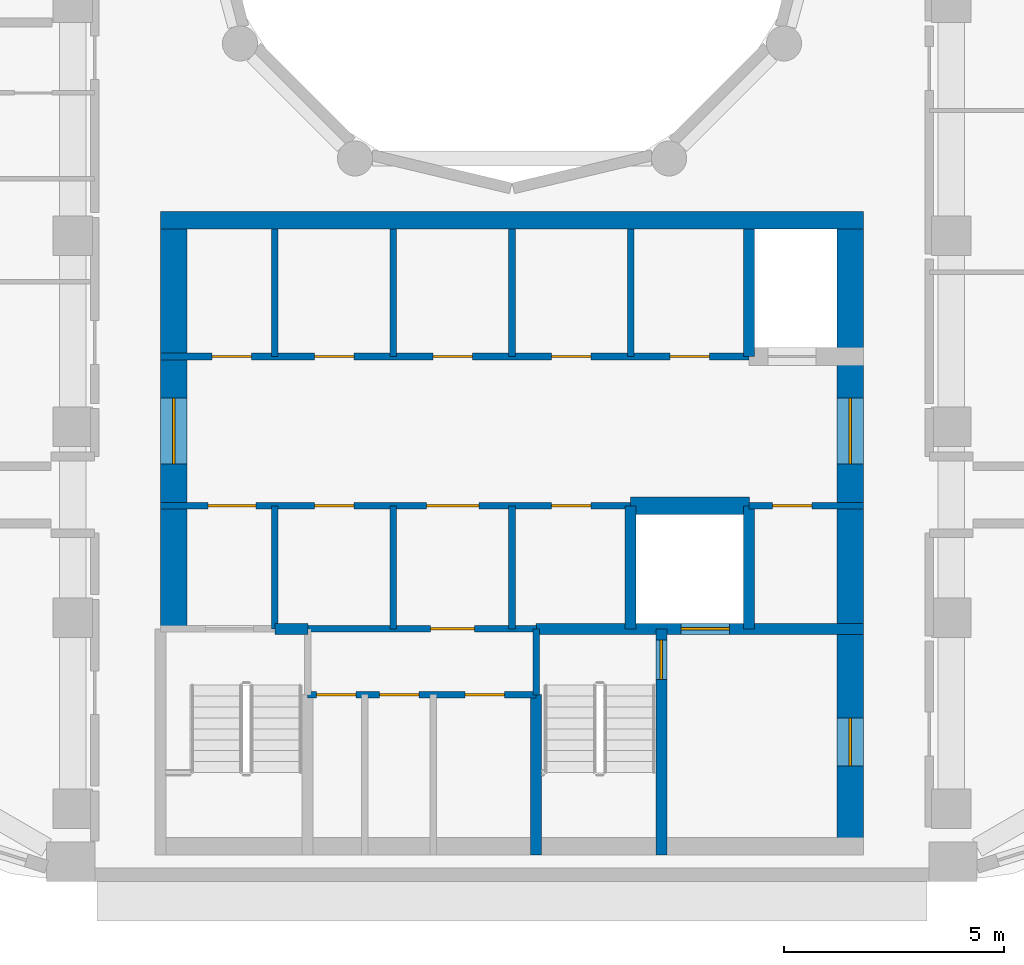
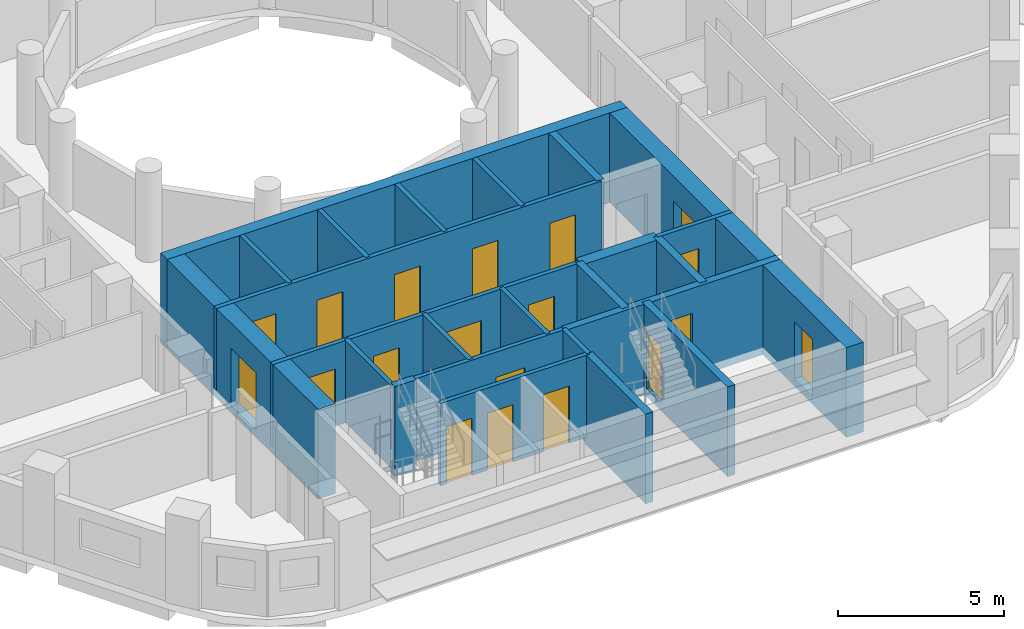
# One storey, part 3 of 13: 24 walls, 19 doors, 19 openings.
"""IFC4 building model written with IfcOpenShell, lengths in metres."""

from ifc_helpers import new_model, si_unit, direction, frame, frame_2d, origin, place, context, subcontext, project, spatial, rectangle, extrude, material, layer, layer_set, type_object, element, fill, save


model = new_model("IFC4")

# Units and contexts
model_context = context("Model", 3, precision=1e-05, world=origin(), true_north=direction((0.0, 1.0)))
body_context = subcontext(model_context, "Body", "Model", "MODEL_VIEW")
ifc_project = project(units=[si_unit("LENGTHUNIT", "METRE"), si_unit("AREAUNIT", "SQUARE_METRE"), si_unit("VOLUMEUNIT", "CUBIC_METRE"), si_unit("PLANEANGLEUNIT", "RADIAN"), si_unit("MASSUNIT", "GRAM", prefix="KILO")], contexts=[model_context])

# Site, building, storey
site_placement = place(None, origin())
site = spatial("IfcSite", under=ifc_project, at=site_placement, CompositionType="ELEMENT")
building_placement = place(site_placement, origin())
building = spatial("IfcBuilding", under=site, at=building_placement, Name="Nakaniwa Court", CompositionType="ELEMENT")
storey_placement = place(building_placement, frame((0.0, 0.0, 239.39990234375)))
storey = spatial("IfcBuildingStorey", under=building, at=storey_placement, Name="L62", CompositionType="ELEMENT", Elevation=239.39990234375)

# Walls
ifc_material_1 = material(Name="Blockwork partition", Category="masonry")
ifc_layer_1 = layer(ifc_material_1, 0.14990234375)
ifc_layer_set_1 = layer_set([ifc_layer_1], Name="Blockwork partition")
wall_type_1 = type_object("IfcWallType", Name="Blockwork partition 150", PredefinedType="PARTITIONING", material=ifc_layer_set_1)
wall_1_placement = place(storey_placement, frame((74.60009765625, 63.10009765625, 0.0), z_axis=(0.0, 0.0, 1.0), x_axis=(0.0, 1.0, 0.0)))
element("IfcWall", 1, at=wall_1_placement, inside=storey, type_object=wall_type_1, Name="Partition PW-031", PredefinedType="PARTITIONING", context=body_context, shape_type="SweptSolid", body=[
    extrude(rectangle(XDim=2.7998046875, YDim=0.14990234375, at=frame_2d((1.39990234375, 0.0))), origin(), (0.0, 0.0, 1.0), 3.025146484375),
])
wall_2_placement = place(storey_placement, frame((74.60009765625, 69.300048828125, 0.0), z_axis=(0.0, 0.0, 1.0), x_axis=(0.0, 1.0, 0.0)))
element("IfcWall", 2, at=wall_2_placement, inside=storey, type_object=wall_type_1, Name="Partition PW-032", PredefinedType="PARTITIONING", context=body_context, shape_type="SweptSolid", body=[
    extrude(rectangle(XDim=2.89990234375, YDim=0.14990234375, at=frame_2d((1.449951171875, 0.0))), origin(), (0.0, 0.0, 1.0), 3.025146484375),
])

# Wall, openings, doors
wall_3_placement = place(storey_placement, frame((72.0, 69.300048828125, 0.0), z_axis=(0.0, 0.0, 1.0), x_axis=(1.0, 0.0, 0.0)))
wall_3 = element("IfcWall", 3, at=wall_3_placement, inside=storey, type_object=wall_type_1, Name="Partition PW-033", PredefinedType="PARTITIONING", context=body_context, shape_type="SweptSolid", body=[
    extrude(rectangle(XDim=13.39990234375, YDim=0.14990234375, at=frame_2d((6.699951171875, 0.0))), origin(), (0.0, 0.0, 1.0), 3.025146484375),
])
opening_1_placement = place(wall_3_placement, frame((1.175048828125, 0.0, 0.0)))
opening_1 = element("IfcOpeningElement", 4, at=opening_1_placement, cuts=wall_3, Name="Opening D-05-12", PredefinedType="OPENING", context=body_context, shape_type="SweptSolid", body=[
    extrude(rectangle(XDim=0.89990234375, YDim=2.10009765625, at=frame_2d((0.449951171875, 1.050048828125))), frame((0.0, 0.0849609375, 0.0), z_axis=(0.0, -1.0, 0.0), x_axis=(1.0, 0.0, 0.0)), (0.0, 0.0, 1.0), 0.169921875),
])
opening_2_placement = place(wall_3_placement, frame((3.5, 0.0, 0.0)))
opening_2 = element("IfcOpeningElement", 5, at=opening_2_placement, cuts=wall_3, Name="Opening D-05-13", PredefinedType="OPENING", context=body_context, shape_type="SweptSolid", body=[
    extrude(rectangle(XDim=0.89990234375, YDim=2.10009765625, at=frame_2d((0.449951171875, 1.050048828125))), frame((0.0, 0.0849609375, 0.0), z_axis=(0.0, -1.0, 0.0), x_axis=(1.0, 0.0, 0.0)), (0.0, 0.0, 1.0), 0.169921875),
])
opening_3_placement = place(wall_3_placement, frame((6.199951171875, 0.0, 0.0)))
opening_3 = element("IfcOpeningElement", 6, at=opening_3_placement, cuts=wall_3, Name="Opening D-05-14", PredefinedType="OPENING", context=body_context, shape_type="SweptSolid", body=[
    extrude(rectangle(XDim=0.89990234375, YDim=2.10009765625, at=frame_2d((0.449951171875, 1.050048828125))), frame((0.0, 0.0849609375, 0.0), z_axis=(0.0, -1.0, 0.0), x_axis=(1.0, 0.0, 0.0)), (0.0, 0.0, 1.0), 0.169921875),
])
opening_4_placement = place(wall_3_placement, frame((8.89990234375, 0.0, 0.0)))
opening_4 = element("IfcOpeningElement", 7, at=opening_4_placement, cuts=wall_3, Name="Opening D-05-15", PredefinedType="OPENING", context=body_context, shape_type="SweptSolid", body=[
    extrude(rectangle(XDim=0.89990234375, YDim=2.10009765625, at=frame_2d((0.449951171875, 1.050048828125))), frame((0.0, 0.0849609375, 0.0), z_axis=(0.0, -1.0, 0.0), x_axis=(1.0, 0.0, 0.0)), (0.0, 0.0, 1.0), 0.169921875),
])
opening_5_placement = place(wall_3_placement, frame((11.60009765625, 0.0, 0.0)))
opening_5 = element("IfcOpeningElement", 8, at=opening_5_placement, cuts=wall_3, Name="Opening D-05-16", PredefinedType="OPENING", context=body_context, shape_type="SweptSolid", body=[
    extrude(rectangle(XDim=0.89990234375, YDim=2.10009765625, at=frame_2d((0.449951171875, 1.050048828125))), frame((0.0, 0.0849609375, 0.0), z_axis=(0.0, -1.0, 0.0), x_axis=(1.0, 0.0, 0.0)), (0.0, 0.0, 1.0), 0.169921875),
])
ifc_material_2 = material(Name="Fire rated steel door set", Category="steel")
door_type_1 = type_object("IfcDoorType", Name="Service room door 900", OperationType="NOTDEFINED", PredefinedType="DOOR", material=ifc_material_2)
door_1_placement = place(opening_1_placement, origin())
door_1 = element("IfcDoor", 9, at=door_1_placement, inside=storey, type_object=door_type_1, Name="Door D-05-12 L62-017", OperationType="SINGLE_SWING_RIGHT", OverallHeight=2.10009765625, OverallWidth=0.89990234375, PredefinedType="DOOR", context=body_context, shape_type="SweptSolid", body=[
    extrude(rectangle(XDim=0.89990234375, YDim=2.10009765625, at=frame_2d((0.449951171875, 1.050048828125))), frame((0.0, 0.02490234375, 0.0), z_axis=(0.0, -1.0, 0.0), x_axis=(1.0, 0.0, 0.0)), (0.0, 0.0, 1.0), 0.050048828125),
])
fill(opening_1, door_1)
door_2_placement = place(opening_2_placement, origin())
door_2 = element("IfcDoor", 10, at=door_2_placement, inside=storey, type_object=door_type_1, Name="Door D-05-13 L62-018", OperationType="SINGLE_SWING_LEFT", OverallHeight=2.10009765625, OverallWidth=0.89990234375, PredefinedType="DOOR", context=body_context, shape_type="SweptSolid", body=[
    extrude(rectangle(XDim=0.89990234375, YDim=2.10009765625, at=frame_2d((0.449951171875, 1.050048828125))), frame((0.0, 0.02490234375, 0.0), z_axis=(0.0, -1.0, 0.0), x_axis=(1.0, 0.0, 0.0)), (0.0, 0.0, 1.0), 0.050048828125),
])
fill(opening_2, door_2)
door_3_placement = place(opening_3_placement, origin())
door_3 = element("IfcDoor", 11, at=door_3_placement, inside=storey, type_object=door_type_1, Name="Door D-05-14 L62-019", OperationType="SINGLE_SWING_RIGHT", OverallHeight=2.10009765625, OverallWidth=0.89990234375, PredefinedType="DOOR", context=body_context, shape_type="SweptSolid", body=[
    extrude(rectangle(XDim=0.89990234375, YDim=2.10009765625, at=frame_2d((0.449951171875, 1.050048828125))), frame((0.0, 0.02490234375, 0.0), z_axis=(0.0, -1.0, 0.0), x_axis=(1.0, 0.0, 0.0)), (0.0, 0.0, 1.0), 0.050048828125),
])
fill(opening_3, door_3)
door_4_placement = place(opening_4_placement, origin())
door_4 = element("IfcDoor", 12, at=door_4_placement, inside=storey, type_object=door_type_1, Name="Door D-05-15 L62-020", OperationType="SINGLE_SWING_LEFT", OverallHeight=2.10009765625, OverallWidth=0.89990234375, PredefinedType="DOOR", context=body_context, shape_type="SweptSolid", body=[
    extrude(rectangle(XDim=0.89990234375, YDim=2.10009765625, at=frame_2d((0.449951171875, 1.050048828125))), frame((0.0, 0.02490234375, 0.0), z_axis=(0.0, -1.0, 0.0), x_axis=(1.0, 0.0, 0.0)), (0.0, 0.0, 1.0), 0.050048828125),
])
fill(opening_4, door_4)
door_5_placement = place(opening_5_placement, origin())
door_5 = element("IfcDoor", 13, at=door_5_placement, inside=storey, type_object=door_type_1, Name="Door D-05-16 L62-021", OperationType="SINGLE_SWING_RIGHT", OverallHeight=2.10009765625, OverallWidth=0.89990234375, PredefinedType="DOOR", context=body_context, shape_type="SweptSolid", body=[
    extrude(rectangle(XDim=0.89990234375, YDim=2.10009765625, at=frame_2d((0.449951171875, 1.050048828125))), frame((0.0, 0.02490234375, 0.0), z_axis=(0.0, -1.0, 0.0), x_axis=(1.0, 0.0, 0.0)), (0.0, 0.0, 1.0), 0.050048828125),
])
fill(opening_5, door_5)

# Walls
wall_4_placement = place(storey_placement, frame((77.300048828125, 63.10009765625, 0.0), z_axis=(0.0, 0.0, 1.0), x_axis=(0.0, 1.0, 0.0)))
element("IfcWall", 14, at=wall_4_placement, inside=storey, type_object=wall_type_1, Name="Partition PW-039", PredefinedType="PARTITIONING", context=body_context, shape_type="SweptSolid", body=[
    extrude(rectangle(XDim=2.7998046875, YDim=0.14990234375, at=frame_2d((1.39990234375, 0.0))), origin(), (0.0, 0.0, 1.0), 3.025146484375),
])
wall_5_placement = place(storey_placement, frame((77.300048828125, 69.300048828125, 0.0), z_axis=(0.0, 0.0, 1.0), x_axis=(0.0, 1.0, 0.0)))
element("IfcWall", 15, at=wall_5_placement, inside=storey, type_object=wall_type_1, Name="Partition PW-040", PredefinedType="PARTITIONING", context=body_context, shape_type="SweptSolid", body=[
    extrude(rectangle(XDim=2.89990234375, YDim=0.14990234375, at=frame_2d((1.449951171875, 0.0))), origin(), (0.0, 0.0, 1.0), 3.025146484375),
])
wall_6_placement = place(storey_placement, frame((80.0, 63.10009765625, 0.0), z_axis=(0.0, 0.0, 1.0), x_axis=(0.0, 1.0, 0.0)))
element("IfcWall", 16, at=wall_6_placement, inside=storey, type_object=wall_type_1, Name="Partition PW-041", PredefinedType="PARTITIONING", context=body_context, shape_type="SweptSolid", body=[
    extrude(rectangle(XDim=2.7998046875, YDim=0.14990234375, at=frame_2d((1.39990234375, 0.0))), origin(), (0.0, 0.0, 1.0), 3.025146484375),
])
for number, where, z_axis, x_axis, name in (
    (17, (80.0, 69.300048828125, 0.0), (0.0, 0.0, 1.0), (0.0, 1.0, 0.0), "Partition PW-042"),
    (18, (82.699951171875, 69.300048828125, 0.0), (0.0, 0.0, 1.0), (0.0, 1.0, 0.0), "Partition PW-043"),
):
    element("IfcWall", number, at=place(storey_placement, frame(where, z_axis=z_axis, x_axis=x_axis)), inside=storey, type_object=wall_type_1, Name=name, PredefinedType="PARTITIONING", context=body_context, shape_type="SweptSolid", body=[
        extrude(rectangle(XDim=2.89990234375, YDim=0.14990234375, at=frame_2d((1.449951171875, 0.0))), origin(), (0.0, 0.0, 1.0), 3.025146484375),
    ])

# Wall, openings, doors
wall_7_placement = place(storey_placement, frame((82.702880859375, 65.89990234375, 0.0), z_axis=(0.0, 0.0, 1.0), x_axis=(-1.0, 0.0, 0.0)))
wall_7 = element("IfcWall", 19, at=wall_7_placement, inside=storey, type_object=wall_type_1, Name="Partition PW-044", PredefinedType="PARTITIONING", context=body_context, shape_type="SweptSolid", body=[
    extrude(rectangle(XDim=10.702880859375, YDim=0.14990234375, at=frame_2d((5.3515625, 0.0))), origin(), (0.0, 0.0, 1.0), 3.025146484375),
])
opening_6_placement = place(wall_7_placement, frame((8.528076171875, 0.0, 0.0)))
opening_6 = element("IfcOpeningElement", 20, at=opening_6_placement, cuts=wall_7, Name="Opening D-08-02", PredefinedType="OPENING", context=body_context, shape_type="SweptSolid", body=[
    extrude(rectangle(XDim=1.10009765625, YDim=2.10009765625, at=frame_2d((0.550048828125, 1.050048828125))), frame((0.0, 0.0849609375, 0.0), z_axis=(0.0, -1.0, 0.0), x_axis=(1.0, 0.0, 0.0)), (0.0, 0.0, 1.0), 0.169921875),
])
opening_7_placement = place(wall_7_placement, frame((6.302978515625, 0.0, 0.0)))
opening_7 = element("IfcOpeningElement", 21, at=opening_7_placement, cuts=wall_7, Name="Opening D-05-17", PredefinedType="OPENING", context=body_context, shape_type="SweptSolid", body=[
    extrude(rectangle(XDim=0.89990234375, YDim=2.10009765625, at=frame_2d((0.449951171875, 1.050048828125))), frame((0.0, 0.0849609375, 0.0), z_axis=(0.0, -1.0, 0.0), x_axis=(1.0, 0.0, 0.0)), (0.0, 0.0, 1.0), 0.169921875),
])
opening_8_placement = place(wall_7_placement, frame((3.452880859375, 0.0, 0.0)))
opening_8 = element("IfcOpeningElement", 22, at=opening_8_placement, cuts=wall_7, Name="Opening D-06-02", PredefinedType="OPENING", context=body_context, shape_type="SweptSolid", body=[
    extrude(rectangle(XDim=1.199951171875, YDim=2.10009765625, at=frame_2d((0.60009765625, 1.050048828125))), frame((0.0, 0.0849609375, 0.0), z_axis=(0.0, -1.0, 0.0), x_axis=(1.0, 0.0, 0.0)), (0.0, 0.0, 1.0), 0.169921875),
])
opening_9_placement = place(wall_7_placement, frame((0.903076171875, 0.0, 0.0)))
opening_9 = element("IfcOpeningElement", 23, at=opening_9_placement, cuts=wall_7, Name="Opening D-05-18", PredefinedType="OPENING", context=body_context, shape_type="SweptSolid", body=[
    extrude(rectangle(XDim=0.89990234375, YDim=2.10009765625, at=frame_2d((0.449951171875, 1.050048828125))), frame((0.0, 0.0849609375, 0.0), z_axis=(0.0, -1.0, 0.0), x_axis=(1.0, 0.0, 0.0)), (0.0, 0.0, 1.0), 0.169921875),
])
ifc_material_3 = material(Name="Fire rated steel double door set", Category="steel")
door_type_2 = type_object("IfcDoorType", Name="Service passage double door 1200", OperationType="NOTDEFINED", PredefinedType="DOOR", material=ifc_material_3)
door_6_placement = place(opening_8_placement, origin())
door_6 = element("IfcDoor", 24, at=door_6_placement, inside=storey, type_object=door_type_2, Name="Door D-06-02 L62-024", OperationType="DOUBLE_DOOR_SINGLE_SWING", OverallHeight=2.10009765625, OverallWidth=1.199951171875, PredefinedType="DOOR", context=body_context, shape_type="SweptSolid", body=[
    extrude(rectangle(XDim=1.199951171875, YDim=2.10009765625, at=frame_2d((0.60009765625, 1.050048828125))), frame((0.0, 0.02490234375, 0.0), z_axis=(0.0, -1.0, 0.0), x_axis=(1.0, 0.0, 0.0)), (0.0, 0.0, 1.0), 0.050048828125),
])
fill(opening_8, door_6)
door_7_placement = place(opening_7_placement, origin())
door_7 = element("IfcDoor", 25, at=door_7_placement, inside=storey, type_object=door_type_1, Name="Door D-05-17 L62-023", OperationType="SINGLE_SWING_RIGHT", OverallHeight=2.10009765625, OverallWidth=0.89990234375, PredefinedType="DOOR", context=body_context, shape_type="SweptSolid", body=[
    extrude(rectangle(XDim=0.89990234375, YDim=2.10009765625, at=frame_2d((0.449951171875, 1.050048828125))), frame((0.0, 0.02490234375, 0.0), z_axis=(0.0, -1.0, 0.0), x_axis=(1.0, 0.0, 0.0)), (0.0, 0.0, 1.0), 0.050048828125),
])
fill(opening_7, door_7)
door_8_placement = place(opening_9_placement, origin())
door_8 = element("IfcDoor", 26, at=door_8_placement, inside=storey, type_object=door_type_1, Name="Door D-05-18 L62-025", OperationType="SINGLE_SWING_RIGHT", OverallHeight=2.10009765625, OverallWidth=0.89990234375, PredefinedType="DOOR", context=body_context, shape_type="SweptSolid", body=[
    extrude(rectangle(XDim=0.89990234375, YDim=2.10009765625, at=frame_2d((0.449951171875, 1.050048828125))), frame((0.0, 0.02490234375, 0.0), z_axis=(0.0, -1.0, 0.0), x_axis=(1.0, 0.0, 0.0)), (0.0, 0.0, 1.0), 0.050048828125),
])
fill(opening_9, door_8)
door_type_3 = type_object("IfcDoorType", Name="Stair lobby door 1100", OperationType="NOTDEFINED", PredefinedType="DOOR", material=ifc_material_2)
door_9_placement = place(opening_6_placement, origin())
door_9 = element("IfcDoor", 27, at=door_9_placement, inside=storey, type_object=door_type_3, Name="Door D-08-02 L62-022", OperationType="SINGLE_SWING_LEFT", OverallHeight=2.10009765625, OverallWidth=1.10009765625, PredefinedType="DOOR", context=body_context, shape_type="SweptSolid", body=[
    extrude(rectangle(XDim=1.10009765625, YDim=2.10009765625, at=frame_2d((0.550048828125, 1.050048828125))), frame((0.0, 0.02490234375, 0.0), z_axis=(0.0, -1.0, 0.0), x_axis=(1.0, 0.0, 0.0)), (0.0, 0.0, 1.0), 0.050048828125),
])
fill(opening_6, door_9)

# Wall, opening, door
wall_8_placement = place(storey_placement, frame((88.0, 65.89990234375, 0.0), z_axis=(0.0, 0.0, 1.0), x_axis=(-1.0, 0.0, 0.0)))
wall_8 = element("IfcWall", 28, at=wall_8_placement, inside=storey, type_object=wall_type_1, Name="Partition PW-045", PredefinedType="PARTITIONING", context=body_context, shape_type="SweptSolid", body=[
    extrude(rectangle(XDim=2.60302734375, YDim=0.14990234375, at=frame_2d((1.301513671875, 0.0))), origin(), (0.0, 0.0, 1.0), 3.025146484375),
])
opening_10_placement = place(wall_8_placement, frame((1.175048828125, 0.0, 0.0)))
opening_10 = element("IfcOpeningElement", 29, at=opening_10_placement, cuts=wall_8, Name="Opening D-05-19", PredefinedType="OPENING", context=body_context, shape_type="SweptSolid", body=[
    extrude(rectangle(XDim=0.89990234375, YDim=2.10009765625, at=frame_2d((0.449951171875, 1.050048828125))), frame((0.0, 0.0849609375, 0.0), z_axis=(0.0, -1.0, 0.0), x_axis=(1.0, 0.0, 0.0)), (0.0, 0.0, 1.0), 0.169921875),
])
door_10_placement = place(opening_10_placement, origin())
door_10 = element("IfcDoor", 30, at=door_10_placement, inside=storey, type_object=door_type_1, Name="Door D-05-19 L62-026", OperationType="SINGLE_SWING_LEFT", OverallHeight=2.10009765625, OverallWidth=0.89990234375, PredefinedType="DOOR", context=body_context, shape_type="SweptSolid", body=[
    extrude(rectangle(XDim=0.89990234375, YDim=2.10009765625, at=frame_2d((0.449951171875, 1.050048828125))), frame((0.0, 0.02490234375, 0.0), z_axis=(0.0, -1.0, 0.0), x_axis=(1.0, 0.0, 0.0)), (0.0, 0.0, 1.0), 0.050048828125),
])
fill(opening_10, door_10)

wall_9_placement = place(storey_placement, frame((80.552978515625, 63.10009765625, 0.0), z_axis=(0.0, 0.0, 1.0), x_axis=(-1.0, 0.0, 0.0)))
wall_9 = element("IfcWall", 31, at=wall_9_placement, inside=storey, type_object=wall_type_1, Name="Partition PW-050", PredefinedType="PARTITIONING", context=body_context, shape_type="SweptSolid", body=[
    extrude(rectangle(XDim=5.2060546875, YDim=0.14990234375, at=frame_2d((2.60302734375, 0.0))), origin(), (0.0, 0.0, 1.0), 3.025146484375),
])
opening_11_placement = place(wall_9_placement, frame((1.403076171875, 0.0, 0.0)))
opening_11 = element("IfcOpeningElement", 32, at=opening_11_placement, cuts=wall_9, Name="Opening D-23-02", PredefinedType="OPENING", context=body_context, shape_type="SweptSolid", body=[
    extrude(rectangle(XDim=1.0, YDim=2.10009765625, at=frame_2d((0.5, 1.050048828125))), frame((0.0, 0.0849609375, 0.0), z_axis=(0.0, -1.0, 0.0), x_axis=(1.0, 0.0, 0.0)), (0.0, 0.0, 1.0), 0.169921875),
])
door_type_4 = type_object("IfcDoorType", Name="Service room door 1000", OperationType="NOTDEFINED", PredefinedType="DOOR", material=ifc_material_2)
door_11_placement = place(opening_11_placement, origin())
door_11 = element("IfcDoor", 33, at=door_11_placement, inside=storey, type_object=door_type_4, Name="Door D-23-02 L62-027", OperationType="SINGLE_SWING_RIGHT", OverallHeight=2.10009765625, OverallWidth=1.0, PredefinedType="DOOR", context=body_context, shape_type="SweptSolid", body=[
    extrude(rectangle(XDim=1.0, YDim=2.10009765625, at=frame_2d((0.5, 1.050048828125))), frame((0.0, 0.02490234375, 0.0), z_axis=(0.0, -1.0, 0.0), x_axis=(1.0, 0.0, 0.0)), (0.0, 0.0, 1.0), 0.050048828125),
])
fill(opening_11, door_11)

# Wall, openings, doors
wall_10_placement = place(storey_placement, frame((80.550048828125, 61.60009765625, 0.0), z_axis=(0.0, 0.0, 1.0), x_axis=(-1.0, 0.0, 0.0)))
wall_10 = element("IfcWall", 34, at=wall_10_placement, inside=storey, type_object=wall_type_1, Name="Partition PW-058", PredefinedType="PARTITIONING", context=body_context, shape_type="SweptSolid", body=[
    extrude(rectangle(XDim=5.199951171875, YDim=0.14990234375, at=frame_2d((2.60009765625, 0.0))), origin(), (0.0, 0.0, 1.0), 3.025146484375),
])
opening_12_placement = place(wall_10_placement, frame((4.10009765625, 0.0, 0.0)))
opening_12 = element("IfcOpeningElement", 35, at=opening_12_placement, cuts=wall_10, Name="Opening D-05-20", PredefinedType="OPENING", context=body_context, shape_type="SweptSolid", body=[
    extrude(rectangle(XDim=0.89990234375, YDim=2.10009765625, at=frame_2d((0.449951171875, 1.050048828125))), frame((0.0, 0.0849609375, 0.0), z_axis=(0.0, -1.0, 0.0), x_axis=(1.0, 0.0, 0.0)), (0.0, 0.0, 1.0), 0.169921875),
])
opening_13_placement = place(wall_10_placement, frame((2.669921875, 0.0, 0.0)))
opening_13 = element("IfcOpeningElement", 36, at=opening_13_placement, cuts=wall_10, Name="Opening D-05-21", PredefinedType="OPENING", context=body_context, shape_type="SweptSolid", body=[
    extrude(rectangle(XDim=0.89990234375, YDim=2.10009765625, at=frame_2d((0.449951171875, 1.050048828125))), frame((0.0, 0.0849609375, 0.0), z_axis=(0.0, -1.0, 0.0), x_axis=(1.0, 0.0, 0.0)), (0.0, 0.0, 1.0), 0.169921875),
])
opening_14_placement = place(wall_10_placement, frame((0.719970703125, 0.0, 0.0)))
opening_14 = element("IfcOpeningElement", 37, at=opening_14_placement, cuts=wall_10, Name="Opening D-05-22", PredefinedType="OPENING", context=body_context, shape_type="SweptSolid", body=[
    extrude(rectangle(XDim=0.89990234375, YDim=2.10009765625, at=frame_2d((0.449951171875, 1.050048828125))), frame((0.0, 0.0849609375, 0.0), z_axis=(0.0, -1.0, 0.0), x_axis=(1.0, 0.0, 0.0)), (0.0, 0.0, 1.0), 0.169921875),
])
door_12_placement = place(opening_12_placement, origin())
door_12 = element("IfcDoor", 38, at=door_12_placement, inside=storey, type_object=door_type_1, Name="Door D-05-20 L62-028", OperationType="SINGLE_SWING_LEFT", OverallHeight=2.10009765625, OverallWidth=0.89990234375, PredefinedType="DOOR", context=body_context, shape_type="SweptSolid", body=[
    extrude(rectangle(XDim=0.89990234375, YDim=2.10009765625, at=frame_2d((0.449951171875, 1.050048828125))), frame((0.0, 0.02490234375, 0.0), z_axis=(0.0, -1.0, 0.0), x_axis=(1.0, 0.0, 0.0)), (0.0, 0.0, 1.0), 0.050048828125),
])
fill(opening_12, door_12)
door_13_placement = place(opening_13_placement, origin())
door_13 = element("IfcDoor", 39, at=door_13_placement, inside=storey, type_object=door_type_1, Name="Door D-05-21 L62-029", OperationType="SINGLE_SWING_RIGHT", OverallHeight=2.10009765625, OverallWidth=0.89990234375, PredefinedType="DOOR", context=body_context, shape_type="SweptSolid", body=[
    extrude(rectangle(XDim=0.89990234375, YDim=2.10009765625, at=frame_2d((0.449951171875, 1.050048828125))), frame((0.0, 0.02490234375, 0.0), z_axis=(0.0, -1.0, 0.0), x_axis=(1.0, 0.0, 0.0)), (0.0, 0.0, 1.0), 0.050048828125),
])
fill(opening_13, door_13)
door_14_placement = place(opening_14_placement, origin())
door_14 = element("IfcDoor", 40, at=door_14_placement, inside=storey, type_object=door_type_1, Name="Door D-05-22 L62-030", OperationType="SINGLE_SWING_LEFT", OverallHeight=2.10009765625, OverallWidth=0.89990234375, PredefinedType="DOOR", context=body_context, shape_type="SweptSolid", body=[
    extrude(rectangle(XDim=0.89990234375, YDim=2.10009765625, at=frame_2d((0.449951171875, 1.050048828125))), frame((0.0, 0.02490234375, 0.0), z_axis=(0.0, -1.0, 0.0), x_axis=(1.0, 0.0, 0.0)), (0.0, 0.0, 1.0), 0.050048828125),
])
fill(opening_14, door_14)

# Wall, opening, door
ifc_material_4 = material(Name="Concrete C80/100", Category="concrete")
ifc_layer_2 = layer(ifc_material_4, 0.60009765625)
ifc_layer_set_2 = layer_set([ifc_layer_2], Name="Concrete C80/100")
wall_type_2 = type_object("IfcWallType", Name="Concrete core side wall 600 C80", PredefinedType="SHEAR", material=ifc_layer_set_2)
wall_11_placement = place(storey_placement, frame((72.300048828125, 63.10009765625, -0.27490234375), z_axis=(0.0, 0.0, 1.0), x_axis=(0.0, 1.0, 0.0)))
wall_11 = element("IfcWall", 41, at=wall_11_placement, inside=storey, type_object=wall_type_2, Name="Core wall SW-34", PredefinedType="SHEAR", context=body_context, shape_type="SweptSolid", body=[
    extrude(rectangle(XDim=9.099853515625, YDim=0.60009765625, at=frame_2d((4.5498046875, 0.0))), origin(), (0.0, 0.0, 1.0), 3.300048828125),
])
opening_15_placement = place(wall_11_placement, frame((3.75, 0.0, 0.27490234375)))
opening_15 = element("IfcOpeningElement", 42, at=opening_15_placement, cuts=wall_11, Name="Opening D-07-04", PredefinedType="OPENING", context=body_context, shape_type="SweptSolid", body=[
    extrude(rectangle(XDim=1.5, YDim=2.10009765625, at=frame_2d((0.75, 1.050048828125))), frame((0.0, 0.31005859375, 0.0), z_axis=(0.0, -1.0, 0.0), x_axis=(1.0, 0.0, 0.0)), (0.0, 0.0, 1.0), 0.6201171875),
])
ifc_material_5 = material(Name="Glazed fire rated steel double door set", Category="steel")
door_type_5 = type_object("IfcDoorType", Name="Lobby double door 1500", OperationType="NOTDEFINED", PredefinedType="DOOR", material=ifc_material_5)
door_15_placement = place(opening_15_placement, origin())
door_15 = element("IfcDoor", 43, at=door_15_placement, inside=storey, type_object=door_type_5, Name="Door D-07-04 L62-067", OperationType="DOUBLE_DOOR_SINGLE_SWING", OverallHeight=2.10009765625, OverallWidth=1.5, PredefinedType="DOOR", context=body_context, shape_type="SweptSolid", body=[
    extrude(rectangle(XDim=1.5, YDim=2.10009765625, at=frame_2d((0.75, 1.050048828125))), frame((0.0, 0.02490234375, 0.0), z_axis=(0.0, -1.0, 0.0), x_axis=(1.0, 0.0, 0.0)), (0.0, 0.0, 1.0), 0.050048828125),
])
fill(opening_15, door_15)

# Wall, openings, doors
wall_12_placement = place(storey_placement, frame((87.699951171875, 72.199951171875, -0.27490234375), z_axis=(0.0, 0.0, 1.0), x_axis=(0.0, -1.0, 0.0)))
wall_12 = element("IfcWall", 44, at=wall_12_placement, inside=storey, type_object=wall_type_2, Name="Core wall SW-38", PredefinedType="SHEAR", context=body_context, shape_type="SweptSolid", body=[
    extrude(rectangle(XDim=14.25, YDim=0.60009765625, at=frame_2d((7.125, 0.0))), origin(), (0.0, 0.0, 1.0), 3.300048828125),
])
opening_16_placement = place(wall_12_placement, frame((3.85009765625, 0.0, 0.27490234375)))
opening_16 = element("IfcOpeningElement", 45, at=opening_16_placement, cuts=wall_12, Name="Opening D-07-03", PredefinedType="OPENING", context=body_context, shape_type="SweptSolid", body=[
    extrude(rectangle(XDim=1.5, YDim=2.10009765625, at=frame_2d((0.75, 1.050048828125))), frame((0.0, 0.31005859375, 0.0), z_axis=(0.0, -1.0, 0.0), x_axis=(1.0, 0.0, 0.0)), (0.0, 0.0, 1.0), 0.6201171875),
])
opening_17_placement = place(wall_12_placement, frame((11.125, 0.0, 0.27490234375)))
opening_17 = element("IfcOpeningElement", 46, at=opening_17_placement, cuts=wall_12, Name="Opening D-10-02", PredefinedType="OPENING", context=body_context, shape_type="SweptSolid", body=[
    extrude(rectangle(XDim=1.10009765625, YDim=2.10009765625, at=frame_2d((0.550048828125, 1.050048828125))), frame((0.0, 0.31005859375, 0.0), z_axis=(0.0, -1.0, 0.0), x_axis=(1.0, 0.0, 0.0)), (0.0, 0.0, 1.0), 0.6201171875),
])
door_type_6 = type_object("IfcDoorType", Name="Firefighting lobby door 1100", OperationType="NOTDEFINED", PredefinedType="DOOR", material=ifc_material_2)
door_16_placement = place(opening_17_placement, origin())
door_16 = element("IfcDoor", 47, at=door_16_placement, inside=storey, type_object=door_type_6, Name="Door D-10-02 L62-068", OperationType="SINGLE_SWING_LEFT", OverallHeight=2.10009765625, OverallWidth=1.10009765625, PredefinedType="DOOR", context=body_context, shape_type="SweptSolid", body=[
    extrude(rectangle(XDim=1.10009765625, YDim=2.10009765625, at=frame_2d((0.550048828125, 1.050048828125))), frame((0.0, 0.02490234375, 0.0), z_axis=(0.0, -1.0, 0.0), x_axis=(1.0, 0.0, 0.0)), (0.0, 0.0, 1.0), 0.050048828125),
])
fill(opening_17, door_16)
door_17_placement = place(opening_16_placement, origin())
door_17 = element("IfcDoor", 48, at=door_17_placement, inside=storey, type_object=door_type_5, Name="Door D-07-03 L62-066", OperationType="DOUBLE_DOOR_SINGLE_SWING", OverallHeight=2.10009765625, OverallWidth=1.5, PredefinedType="DOOR", context=body_context, shape_type="SweptSolid", body=[
    extrude(rectangle(XDim=1.5, YDim=2.10009765625, at=frame_2d((0.75, 1.050048828125))), frame((0.0, 0.02490234375, 0.0), z_axis=(0.0, -1.0, 0.0), x_axis=(1.0, 0.0, 0.0)), (0.0, 0.0, 1.0), 0.050048828125),
])
fill(opening_16, door_17)

# Walls
ifc_layer_3 = layer(ifc_material_4, 0.39990234375)
ifc_layer_set_3 = layer_set([ifc_layer_3], Name="Concrete C80/100")
wall_type_3 = type_object("IfcWallType", Name="Concrete core spine wall 400 C80", PredefinedType="SHEAR", material=ifc_layer_set_3)
wall_13_placement = place(storey_placement, frame((82.697021484375, 65.89990234375, -0.27490234375), z_axis=(0.0, 0.0, 1.0), x_axis=(1.0, 0.0, 0.0)))
element("IfcWall", 49, at=wall_13_placement, inside=storey, type_object=wall_type_3, Name="Core wall SW-46", PredefinedType="SHEAR", context=body_context, shape_type="SweptSolid", body=[
    extrude(rectangle(XDim=2.7060546875, YDim=0.39990234375, at=frame_2d((1.35302734375, 0.0))), origin(), (0.0, 0.0, 1.0), 3.300048828125),
])
ifc_layer_4 = layer(ifc_material_4, 0.14990234375)
ifc_layer_set_4 = layer_set([ifc_layer_4], Name="Concrete C80/100")
wall_type_4 = type_object("IfcWallType", Name="Concrete core wall 150 C80", PredefinedType="SHEAR", material=ifc_layer_set_4)
wall_14_placement = place(storey_placement, frame((80.550048828125, 61.596923828125, -0.27490234375), z_axis=(0.0, 0.0, 1.0), x_axis=(0.0, 1.0, 0.0)))
element("IfcWall", 50, at=wall_14_placement, inside=storey, type_object=wall_type_4, Name="Core wall SW-56", PredefinedType="SHEAR", context=body_context, shape_type="SweptSolid", body=[
    extrude(rectangle(XDim=1.503173828125, YDim=0.14990234375, at=frame_2d((0.75146484375, 0.0))), origin(), (0.0, 0.0, 1.0), 3.300048828125),
])
ifc_layer_5 = layer(ifc_material_4, 0.39990234375)
ifc_layer_set_5 = layer_set([ifc_layer_5], Name="Concrete C80/100")
wall_type_5 = type_object("IfcWallType", Name="Concrete core well wall 400 C80", PredefinedType="SHEAR", material=ifc_layer_set_5)
wall_15_placement = place(storey_placement, frame((72.00390625, 72.39990234375, -0.27490234375), z_axis=(0.0, 0.0, 1.0), x_axis=(1.0, 0.0, 0.0)))
element("IfcWall", 51, at=wall_15_placement, inside=storey, type_object=wall_type_5, Name="Core wall SW-132", PredefinedType="SHEAR", context=body_context, shape_type="SweptSolid", body=[
    extrude(rectangle(XDim=15.9921875, YDim=0.39990234375, at=frame_2d((7.99609375, 0.0))), origin(), (0.0, 0.0, 1.0), 3.300048828125),
])
ifc_layer_6 = layer(ifc_material_4, 0.25)
ifc_layer_set_6 = layer_set([ifc_layer_6], Name="Concrete C80/100")
wall_type_6 = type_object("IfcWallType", Name="Concrete shaft wall 250 C80", PredefinedType="SHEAR", material=ifc_layer_set_6)
wall_16_placement = place(storey_placement, frame((85.39990234375, 63.10009765625, -0.27490234375), z_axis=(0.0, 0.0, 1.0), x_axis=(0.0, 1.0, 0.0)))
element("IfcWall", 52, at=wall_16_placement, inside=storey, type_object=wall_type_6, Name="Core wall SW-35", PredefinedType="SHEAR", context=body_context, shape_type="SweptSolid", body=[
    extrude(rectangle(XDim=2.7998046875, YDim=0.25, at=frame_2d((1.39990234375, 0.0))), origin(), (0.0, 0.0, 1.0), 3.300048828125),
])
wall_17_placement = place(storey_placement, frame((85.39990234375, 69.300048828125, -0.27490234375), z_axis=(0.0, 0.0, 1.0), x_axis=(0.0, 1.0, 0.0)))
element("IfcWall", 53, at=wall_17_placement, inside=storey, type_object=wall_type_6, Name="Core wall SW-36", PredefinedType="SHEAR", context=body_context, shape_type="SweptSolid", body=[
    extrude(rectangle(XDim=2.89990234375, YDim=0.25, at=frame_2d((1.449951171875, 0.0))), origin(), (0.0, 0.0, 1.0), 3.300048828125),
])
wall_18_placement = place(storey_placement, frame((74.60009765625, 63.10009765625, -0.27490234375), z_axis=(0.0, 0.0, 1.0), x_axis=(1.0, 0.0, 0.0)))
element("IfcWall", 54, at=wall_18_placement, inside=storey, type_object=wall_type_6, Name="Core wall SW-48", PredefinedType="SHEAR", context=body_context, shape_type="SweptSolid", body=[
    extrude(rectangle(XDim=0.7529296875, YDim=0.25, at=frame_2d((0.37646484375, 0.0))), origin(), (0.0, 0.0, 1.0), 3.300048828125),
])

# Wall, opening, door
wall_19_placement = place(storey_placement, frame((80.547119140625, 63.10009765625, -0.27490234375), z_axis=(0.0, 0.0, 1.0), x_axis=(1.0, 0.0, 0.0)))
wall_19 = element("IfcWall", 55, at=wall_19_placement, inside=storey, type_object=wall_type_6, Name="Core wall SW-49", PredefinedType="SHEAR", context=body_context, shape_type="SweptSolid", body=[
    extrude(rectangle(XDim=7.452880859375, YDim=0.25, at=frame_2d((3.7265625, 0.0))), origin(), (0.0, 0.0, 1.0), 3.300048828125),
])
opening_18_placement = place(wall_19_placement, frame((3.302001953125, 0.0, 0.27490234375)))
opening_18 = element("IfcOpeningElement", 56, at=opening_18_placement, cuts=wall_19, Name="Opening LD04", PredefinedType="OPENING", context=body_context, shape_type="SweptSolid", body=[
    extrude(rectangle(XDim=1.10009765625, YDim=2.10009765625, at=frame_2d((0.550048828125, 1.050048828125))), frame((0.0, 0.135009765625, 0.0), z_axis=(0.0, -1.0, 0.0), x_axis=(1.0, 0.0, 0.0)), (0.0, 0.0, 1.0), 0.27001953125),
])
ifc_material_6 = material(Name="Stainless steel sliding lift landing door", Category="steel")
door_type_7 = type_object("IfcDoorType", Name="Lift landing door 1100", OperationType="NOTDEFINED", PredefinedType="DOOR", material=ifc_material_6)
door_18_placement = place(opening_18_placement, origin())
door_18 = element("IfcDoor", 57, at=door_18_placement, inside=storey, type_object=door_type_7, Name="Lift landing door LD04 L62-004", OperationType="SLIDING_TO_LEFT", OverallHeight=2.10009765625, OverallWidth=1.10009765625, PredefinedType="DOOR", context=body_context, shape_type="SweptSolid", body=[
    extrude(rectangle(XDim=1.10009765625, YDim=2.10009765625, at=frame_2d((0.550048828125, 1.050048828125))), frame((0.0, 0.02490234375, 0.0), z_axis=(0.0, -1.0, 0.0), x_axis=(1.0, 0.0, 0.0)), (0.0, 0.0, 1.0), 0.050048828125),
])
fill(opening_18, door_18)

# Wall
wall_20_placement = place(storey_placement, frame((82.699951171875, 63.10009765625, -0.27490234375), z_axis=(0.0, 0.0, 1.0), x_axis=(0.0, 1.0, 0.0)))
element("IfcWall", 58, at=wall_20_placement, inside=storey, type_object=wall_type_6, Name="Core wall SW-51", PredefinedType="SHEAR", context=body_context, shape_type="SweptSolid", body=[
    extrude(rectangle(XDim=2.7998046875, YDim=0.25, at=frame_2d((1.39990234375, 0.0))), origin(), (0.0, 0.0, 1.0), 3.300048828125),
])

# Wall, opening, door
wall_21_placement = place(storey_placement, frame((83.39990234375, 63.10009765625, -0.27490234375), z_axis=(0.0, 0.0, 1.0), x_axis=(0.0, -1.0, 0.0)))
wall_21 = element("IfcWall", 59, at=wall_21_placement, inside=storey, type_object=wall_type_6, Name="Core wall SW-55", PredefinedType="SHEAR", context=body_context, shape_type="SweptSolid", body=[
    extrude(rectangle(XDim=5.150146484375, YDim=0.25, at=frame_2d((2.5751953125, 0.0))), origin(), (0.0, 0.0, 1.0), 3.300048828125),
])
opening_19_placement = place(wall_21_placement, frame((0.25, 0.0, 0.27490234375)))
opening_19 = element("IfcOpeningElement", 60, at=opening_19_placement, cuts=wall_21, Name="Opening D-11-02", PredefinedType="OPENING", context=body_context, shape_type="SweptSolid", body=[
    extrude(rectangle(XDim=0.89990234375, YDim=2.10009765625, at=frame_2d((0.449951171875, 1.050048828125))), frame((0.0, 0.135009765625, 0.0), z_axis=(0.0, -1.0, 0.0), x_axis=(1.0, 0.0, 0.0)), (0.0, 0.0, 1.0), 0.27001953125),
])
door_type_8 = type_object("IfcDoorType", Name="Stair door 900", OperationType="NOTDEFINED", PredefinedType="DOOR", material=ifc_material_2)
door_19_placement = place(opening_19_placement, origin())
door_19 = element("IfcDoor", 61, at=door_19_placement, inside=storey, type_object=door_type_8, Name="Door D-11-02 L62-032", OperationType="SINGLE_SWING_RIGHT", OverallHeight=2.10009765625, OverallWidth=0.89990234375, PredefinedType="DOOR", context=body_context, shape_type="SweptSolid", body=[
    extrude(rectangle(XDim=0.89990234375, YDim=2.10009765625, at=frame_2d((0.449951171875, 1.050048828125))), frame((0.0, 0.02490234375, 0.0), z_axis=(0.0, -1.0, 0.0), x_axis=(1.0, 0.0, 0.0)), (0.0, 0.0, 1.0), 0.050048828125),
])
fill(opening_19, door_19)

# Wall
wall_22_placement = place(storey_placement, frame((80.550048828125, 57.949951171875, -0.27490234375), z_axis=(0.0, 0.0, 1.0), x_axis=(0.0, 1.0, 0.0)))
element("IfcWall", 62, at=wall_22_placement, inside=storey, type_object=wall_type_6, Name="Core wall SW-57", PredefinedType="SHEAR", context=body_context, shape_type="SweptSolid", body=[
    extrude(rectangle(XDim=3.653076171875, YDim=0.25, at=frame_2d((1.82666015625, 0.0))), origin(), (0.0, 0.0, 1.0), 3.300048828125),
])

save(model, "model.ifc")
